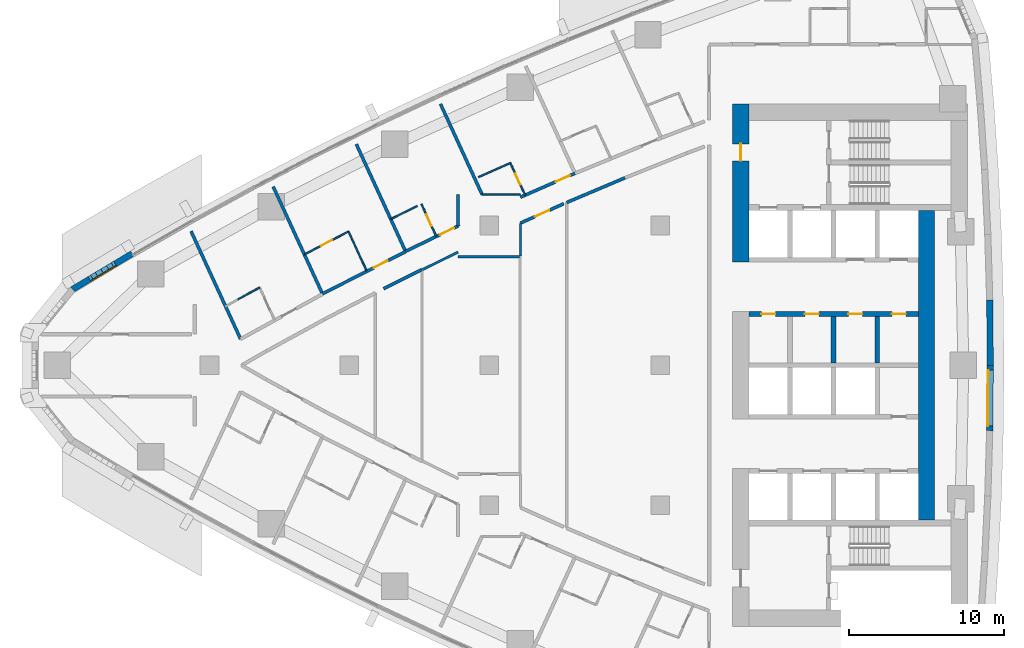
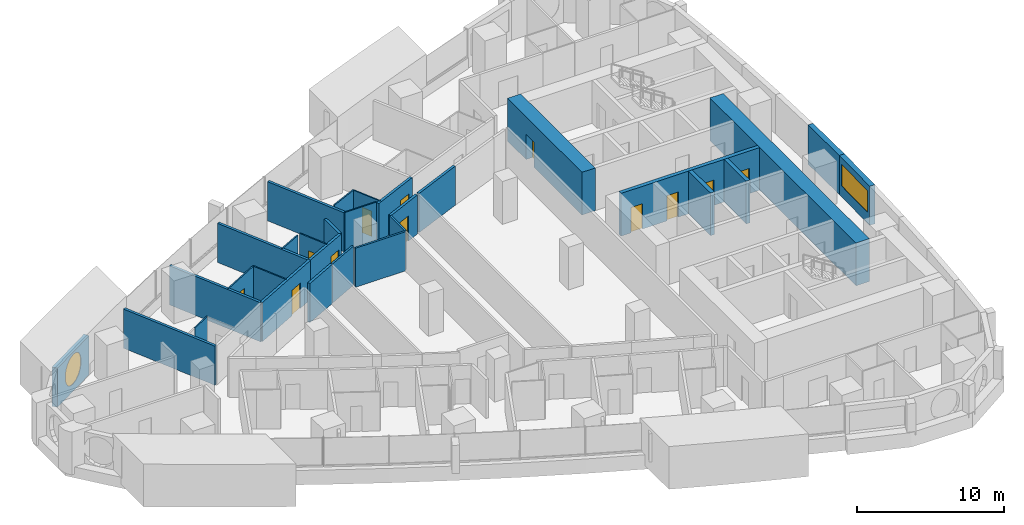
# One storey, part 11 of 17: 30 walls, 12 doors, 2 windows, 14 openings.
"""IFC4 building model written with IfcOpenShell, lengths in metres."""

from ifc_helpers import new_model, si_unit, direction, frame, frame_2d, origin, place, context, subcontext, project, spatial, polyline, rectangle, outline, extrude, material, layer, layer_set, type_object, element, fill, save


model = new_model("IFC4")

# Units and contexts
model_context = context("Model", 3, precision=1e-05, world=origin(), true_north=direction((0.0, 1.0)))
body_context = subcontext(model_context, "Body", "Model", "MODEL_VIEW")
ifc_project = project(units=[si_unit("LENGTHUNIT", "METRE"), si_unit("AREAUNIT", "SQUARE_METRE"), si_unit("VOLUMEUNIT", "CUBIC_METRE"), si_unit("PLANEANGLEUNIT", "RADIAN"), si_unit("MASSUNIT", "GRAM", prefix="KILO")], contexts=[model_context])

# Site, building, storey
site_placement = place(None, origin())
site = spatial("IfcSite", under=ifc_project, at=site_placement, CompositionType="ELEMENT")
building_placement = place(site_placement, origin())
building = spatial("IfcBuilding", under=site, at=building_placement, Name="Ostrand Prow Hotel Tower", CompositionType="ELEMENT")
storey_placement = place(building_placement, frame((0.0, 0.0, 109.75)))
storey = spatial("IfcBuildingStorey", under=building, at=storey_placement, Name="L26", CompositionType="ELEMENT", Elevation=109.75)

# Wall, opening, door
ifc_material_1 = material(Name="Concrete C80/95", Category="concrete")
ifc_layer_1 = layer(ifc_material_1, 1.050048828125)
ifc_layer_set_1 = layer_set([ifc_layer_1], Name="Concrete C80/95")
wall_type_1 = type_object("IfcWallType", Name="Core wall 1050 C80/95", PredefinedType="SHEAR", material=ifc_layer_set_1)
wall_1_placement = place(storey_placement, frame((50.175048828125, 6.64990234375, 0.0), z_axis=(0.0, 0.0, 1.0), x_axis=(0.0, 1.0, 0.0)))
wall_1 = element("IfcWall", 1, at=wall_1_placement, inside=storey, type_object=wall_type_1, Name="Core wall CW-W-N", PredefinedType="SHEAR", context=body_context, shape_type="SweptSolid", body=[
    extrude(rectangle(XDim=10.150146484375, YDim=1.050048828125, at=frame_2d((5.0751953125, 0.0))), origin(), (0.0, 0.0, 1.0), 3.550048828125),
])
opening_1_placement = place(wall_1_placement, frame((6.5, 0.0, 0.0)))
opening_1 = element("IfcOpeningElement", 2, at=opening_1_placement, cuts=wall_1, Name="Opening FD1", PredefinedType="OPENING", context=body_context, shape_type="SweptSolid", body=[
    extrude(rectangle(XDim=1.10009765625, YDim=2.10009765625, at=frame_2d((0.550048828125, 1.050048828125))), frame((0.0, 0.534912109375, 0.0), z_axis=(0.0, -1.0, 0.0), x_axis=(1.0, 0.0, 0.0)), (0.0, 0.0, 1.0), 1.070068359375),
])
ifc_material_2 = material(Name="Steel fire door", Category="steel")
door_type_1 = type_object("IfcDoorType", Name="Fire door 1100 EI120", OperationType="SINGLE_SWING_RIGHT", PredefinedType="DOOR", material=ifc_material_2)
door_1_placement = place(opening_1_placement, origin())
door_1 = element("IfcDoor", 3, at=door_1_placement, inside=storey, type_object=door_type_1, Name="FIRE DOOR", OperationType="SINGLE_SWING_RIGHT", OverallHeight=2.10009765625, OverallWidth=1.10009765625, PredefinedType="DOOR", context=body_context, shape_type="SweptSolid", body=[
    extrude(rectangle(XDim=1.10009765625, YDim=2.10009765625, at=frame_2d((0.550048828125, 1.050048828125))), frame((0.0, 0.02490234375, 0.0), z_axis=(0.0, -1.0, 0.0), x_axis=(1.0, 0.0, 0.0)), (0.0, 0.0, 1.0), 0.050048828125),
])
fill(opening_1, door_1)

# Wall
wall_2_placement = place(storey_placement, frame((62.125, -9.949951171875, 0.0), z_axis=(0.0, 0.0, 1.0), x_axis=(0.0, 1.0, 0.0)))
element("IfcWall", 4, at=wall_2_placement, inside=storey, type_object=wall_type_1, Name="Core wall CW-E-C", PredefinedType="SHEAR", context=body_context, shape_type="SweptSolid", body=[
    extrude(rectangle(XDim=19.89990234375, YDim=1.050048828125, at=frame_2d((9.949951171875, 0.0))), origin(), (0.0, 0.0, 1.0), 3.550048828125),
])

# Wall, openings, doors
ifc_material_3 = material(Name="Concrete C80/95", Category="concrete")
ifc_layer_2 = layer(ifc_material_3, 0.300048828125)
ifc_layer_set_2 = layer_set([ifc_layer_2], Name="Concrete C80/95")
wall_type_2 = type_object("IfcWallType", Name="Core wall 300 C80/95", PredefinedType="SHEAR", material=ifc_layer_set_2)
wall_3_placement = place(storey_placement, frame((50.699951171875, 3.300048828125, 0.0), z_axis=(0.0, 0.0, 1.0), x_axis=(1.0, 0.0, 0.0)))
wall_3 = element("IfcWall", 5, at=wall_3_placement, inside=storey, type_object=wall_type_2, Name="Core wall PW-L1-N", PredefinedType="SHEAR", context=body_context, shape_type="SweptSolid", body=[
    extrude(rectangle(XDim=10.900146484375, YDim=0.300048828125, at=frame_2d((5.4501953125, 0.0))), origin(), (0.0, 0.0, 1.0), 3.550048828125),
])
opening_2_placement = place(wall_3_placement, frame((0.800048828125, 0.0, 0.0)))
opening_2 = element("IfcOpeningElement", 6, at=opening_2_placement, cuts=wall_3, Name="Opening FD2", PredefinedType="OPENING", context=body_context, shape_type="SweptSolid", body=[
    extrude(rectangle(XDim=0.89990234375, YDim=2.10009765625, at=frame_2d((0.449951171875, 1.050048828125))), frame((0.0, 0.159912109375, 0.0), z_axis=(0.0, -1.0, 0.0), x_axis=(1.0, 0.0, 0.0)), (0.0, 0.0, 1.0), 0.320068359375),
])
opening_3_placement = place(wall_3_placement, frame((3.60009765625, 0.0, 0.0)))
opening_3 = element("IfcOpeningElement", 7, at=opening_3_placement, cuts=wall_3, Name="Opening FD2", PredefinedType="OPENING", context=body_context, shape_type="SweptSolid", body=[
    extrude(rectangle(XDim=0.89990234375, YDim=2.10009765625, at=frame_2d((0.449951171875, 1.050048828125))), frame((0.0, 0.159912109375, 0.0), z_axis=(0.0, -1.0, 0.0), x_axis=(1.0, 0.0, 0.0)), (0.0, 0.0, 1.0), 0.320068359375),
])
opening_4_placement = place(wall_3_placement, frame((6.39990234375, 0.0, 0.0)))
opening_4 = element("IfcOpeningElement", 8, at=opening_4_placement, cuts=wall_3, Name="Opening FD2", PredefinedType="OPENING", context=body_context, shape_type="SweptSolid", body=[
    extrude(rectangle(XDim=0.89990234375, YDim=2.10009765625, at=frame_2d((0.449951171875, 1.050048828125))), frame((0.0, 0.159912109375, 0.0), z_axis=(0.0, -1.0, 0.0), x_axis=(1.0, 0.0, 0.0)), (0.0, 0.0, 1.0), 0.320068359375),
])
opening_5_placement = place(wall_3_placement, frame((9.199951171875, 0.0, 0.0)))
opening_5 = element("IfcOpeningElement", 9, at=opening_5_placement, cuts=wall_3, Name="Opening FD2", PredefinedType="OPENING", context=body_context, shape_type="SweptSolid", body=[
    extrude(rectangle(XDim=0.89990234375, YDim=2.10009765625, at=frame_2d((0.449951171875, 1.050048828125))), frame((0.0, 0.159912109375, 0.0), z_axis=(0.0, -1.0, 0.0), x_axis=(1.0, 0.0, 0.0)), (0.0, 0.0, 1.0), 0.320068359375),
])
ifc_material_4 = material(Name="Steel fire door", Category="steel")
door_type_2 = type_object("IfcDoorType", Name="Fire door 900 EI120", OperationType="SINGLE_SWING_LEFT", PredefinedType="DOOR", material=ifc_material_4)
door_2_placement = place(opening_2_placement, origin())
door_2 = element("IfcDoor", 10, at=door_2_placement, inside=storey, type_object=door_type_2, Name="DOOR", OperationType="SINGLE_SWING_LEFT", OverallHeight=2.10009765625, OverallWidth=0.89990234375, PredefinedType="DOOR", context=body_context, shape_type="SweptSolid", body=[
    extrude(rectangle(XDim=0.89990234375, YDim=2.10009765625, at=frame_2d((0.449951171875, 1.050048828125))), frame((0.0, 0.02490234375, 0.0), z_axis=(0.0, -1.0, 0.0), x_axis=(1.0, 0.0, 0.0)), (0.0, 0.0, 1.0), 0.050048828125),
])
fill(opening_2, door_2)
door_3_placement = place(opening_3_placement, origin())
door_3 = element("IfcDoor", 11, at=door_3_placement, inside=storey, type_object=door_type_2, Name="DOOR", OperationType="SINGLE_SWING_LEFT", OverallHeight=2.10009765625, OverallWidth=0.89990234375, PredefinedType="DOOR", context=body_context, shape_type="SweptSolid", body=[
    extrude(rectangle(XDim=0.89990234375, YDim=2.10009765625, at=frame_2d((0.449951171875, 1.050048828125))), frame((0.0, 0.02490234375, 0.0), z_axis=(0.0, -1.0, 0.0), x_axis=(1.0, 0.0, 0.0)), (0.0, 0.0, 1.0), 0.050048828125),
])
fill(opening_3, door_3)
door_4_placement = place(opening_4_placement, origin())
door_4 = element("IfcDoor", 12, at=door_4_placement, inside=storey, type_object=door_type_2, Name="DOOR", OperationType="SINGLE_SWING_LEFT", OverallHeight=2.10009765625, OverallWidth=0.89990234375, PredefinedType="DOOR", context=body_context, shape_type="SweptSolid", body=[
    extrude(rectangle(XDim=0.89990234375, YDim=2.10009765625, at=frame_2d((0.449951171875, 1.050048828125))), frame((0.0, 0.02490234375, 0.0), z_axis=(0.0, -1.0, 0.0), x_axis=(1.0, 0.0, 0.0)), (0.0, 0.0, 1.0), 0.050048828125),
])
fill(opening_4, door_4)
door_5_placement = place(opening_5_placement, origin())
door_5 = element("IfcDoor", 13, at=door_5_placement, inside=storey, type_object=door_type_2, Name="DOOR", OperationType="SINGLE_SWING_LEFT", OverallHeight=2.10009765625, OverallWidth=0.89990234375, PredefinedType="DOOR", context=body_context, shape_type="SweptSolid", body=[
    extrude(rectangle(XDim=0.89990234375, YDim=2.10009765625, at=frame_2d((0.449951171875, 1.050048828125))), frame((0.0, 0.02490234375, 0.0), z_axis=(0.0, -1.0, 0.0), x_axis=(1.0, 0.0, 0.0)), (0.0, 0.0, 1.0), 0.050048828125),
])
fill(opening_5, door_5)

# Walls
for number, where, z_axis, x_axis, name in (
    (14, (56.14990234375, 0.14990234375, 0.0), (0.0, 0.0, 1.0), (0.0, 1.0, 0.0), "Core wall PW-R2-NB"),
    (15, (58.949951171875, 0.14990234375, 0.0), (0.0, 0.0, 1.0), (0.0, 1.0, 0.0), "Core wall PW-R3-NB"),
):
    element("IfcWall", number, at=place(storey_placement, frame(where, z_axis=z_axis, x_axis=x_axis)), inside=storey, type_object=wall_type_2, Name=name, PredefinedType="SHEAR", context=body_context, shape_type="SweptSolid", body=[
        extrude(rectangle(XDim=3.0, YDim=0.300048828125, at=frame_2d((1.5, 0.0))), origin(), (0.0, 0.0, 1.0), 3.550048828125),
    ])
ifc_material_5 = material(Name="Plasterboard partition")
ifc_layer_3 = layer(ifc_material_5, 0.10009765625)
ifc_layer_set_3 = layer_set([ifc_layer_3], Name="Plasterboard partition")
wall_type_3 = type_object("IfcWallType", Name="Partition 100 bathroom wall", PredefinedType="PARTITIONING", material=ifc_layer_set_3)
wall_4_placement = place(storey_placement, frame((17.80126953125, 4.228515625, 0.0), z_axis=(0.0, 0.0, 1.0), x_axis=(0.877424481957, 0.479714788663, 0.0)))
element("IfcWall", 16, at=wall_4_placement, inside=storey, type_object=wall_type_3, Name="BATHROOM WALL", PredefinedType="PARTITIONING", context=body_context, shape_type="SweptSolid", body=[
    extrude(rectangle(XDim=1.62548828125, YDim=0.10009765625, at=frame_2d((0.812744140625, 0.0))), origin(), (0.0, 0.0, 1.0), 3.25),
])

# Wall, opening, door
wall_5_placement = place(storey_placement, frame((22.10400390625, 7.131591796875, 0.0), z_axis=(0.0, 0.0, 1.0), x_axis=(0.886865947566, 0.46202682936, 0.0)))
wall_5 = element("IfcWall", 17, at=wall_5_placement, inside=storey, type_object=wall_type_3, Name="BATHROOM WALL", PredefinedType="PARTITIONING", context=body_context, shape_type="SweptSolid", body=[
    extrude(rectangle(XDim=3.203857421875, YDim=0.10009765625, at=frame_2d((1.60205078125, 0.0))), origin(), (0.0, 0.0, 1.0), 3.25),
])
opening_6_placement = place(wall_5_placement, frame((1.199951171875, 0.0, 0.0)))
opening_6 = element("IfcOpeningElement", 18, at=opening_6_placement, cuts=wall_5, Name="Opening D2", PredefinedType="OPENING", context=body_context, shape_type="SweptSolid", body=[
    extrude(rectangle(XDim=0.800048828125, YDim=2.10009765625, at=frame_2d((0.39990234375, 1.050048828125))), frame((0.0, 0.06005859375, 0.0), z_axis=(0.0, -1.0, 0.0), x_axis=(1.0, 0.0, 0.0)), (0.0, 0.0, 1.0), 0.1201171875),
])
ifc_material_6 = material(Name="Timber door leaf", Category="wood")
door_type_3 = type_object("IfcDoorType", Name="Bathroom door 800", OperationType="SINGLE_SWING_LEFT", PredefinedType="DOOR", material=ifc_material_6)
door_6_placement = place(opening_6_placement, origin())
door_6 = element("IfcDoor", 19, at=door_6_placement, inside=storey, type_object=door_type_3, Name="DOOR", OperationType="SINGLE_SWING_LEFT", OverallHeight=2.10009765625, OverallWidth=0.800048828125, PredefinedType="DOOR", context=body_context, shape_type="SweptSolid", body=[
    extrude(rectangle(XDim=0.800048828125, YDim=2.10009765625, at=frame_2d((0.39990234375, 1.050048828125))), frame((0.0, 0.02490234375, 0.0), z_axis=(0.0, -1.0, 0.0), x_axis=(1.0, 0.0, 0.0)), (0.0, 0.0, 1.0), 0.050048828125),
])
fill(opening_6, door_6)

# Walls
wall_6_placement = place(storey_placement, frame((24.9453125, 8.61181640625, 0.0), z_axis=(0.0, 0.0, 1.0), x_axis=(0.417431588167, -0.908708352113, 0.0)))
element("IfcWall", 20, at=wall_6_placement, inside=storey, type_object=wall_type_3, Name="BATHROOM WALL", PredefinedType="PARTITIONING", context=body_context, shape_type="SweptSolid", body=[
    extrude(rectangle(XDim=2.780517578125, YDim=0.10009765625, at=frame_2d((1.39013671875, 0.0))), origin(), (0.0, 0.0, 1.0), 3.25),
])
wall_7_placement = place(storey_placement, frame((27.6611328125, 9.407470703125, 0.0), z_axis=(0.0, 0.0, 1.0), x_axis=(0.895982200486, 0.444089964324, 0.0)))
element("IfcWall", 21, at=wall_7_placement, inside=storey, type_object=wall_type_3, Name="BATHROOM WALL", PredefinedType="PARTITIONING", context=body_context, shape_type="SweptSolid", body=[
    extrude(rectangle(XDim=1.90869140625, YDim=0.10009765625, at=frame_2d((0.954345703125, 0.0))), origin(), (0.0, 0.0, 1.0), 3.25),
])

# Wall, opening, door
wall_8_placement = place(storey_placement, frame((29.635498046875, 10.379638671875, 0.0), z_axis=(0.0, 0.0, 1.0), x_axis=(0.417466676952, -0.908692232626, 0.0)))
wall_8 = element("IfcWall", 22, at=wall_8_placement, inside=storey, type_object=wall_type_3, Name="BATHROOM WALL", PredefinedType="PARTITIONING", context=body_context, shape_type="SweptSolid", body=[
    extrude(rectangle(XDim=2.27734375, YDim=0.10009765625, at=frame_2d((1.138671875, 0.0))), origin(), (0.0, 0.0, 1.0), 3.25),
])
opening_7_placement = place(wall_8_placement, frame((0.75, 0.0, 0.0)))
opening_7 = element("IfcOpeningElement", 23, at=opening_7_placement, cuts=wall_8, Name="Opening D2", PredefinedType="OPENING", context=body_context, shape_type="SweptSolid", body=[
    extrude(rectangle(XDim=0.800048828125, YDim=2.10009765625, at=frame_2d((0.39990234375, 1.050048828125))), frame((0.0, 0.06005859375, 0.0), z_axis=(0.0, -1.0, 0.0), x_axis=(1.0, 0.0, 0.0)), (0.0, 0.0, 1.0), 0.1201171875),
])
door_7_placement = place(opening_7_placement, origin())
door_7 = element("IfcDoor", 24, at=door_7_placement, inside=storey, type_object=door_type_3, Name="DOOR", OperationType="SINGLE_SWING_LEFT", OverallHeight=2.10009765625, OverallWidth=0.800048828125, PredefinedType="DOOR", context=body_context, shape_type="SweptSolid", body=[
    extrude(rectangle(XDim=0.800048828125, YDim=2.10009765625, at=frame_2d((0.39990234375, 1.050048828125))), frame((0.0, 0.02490234375, 0.0), z_axis=(0.0, -1.0, 0.0), x_axis=(1.0, 0.0, 0.0)), (0.0, 0.0, 1.0), 0.050048828125),
])
fill(opening_7, door_7)

# Wall
wall_9_placement = place(storey_placement, frame((33.305908203125, 12.1083984375, 0.0), z_axis=(0.0, 0.0, 1.0), x_axis=(0.913060453705, 0.407824236504, 0.0)))
element("IfcWall", 25, at=wall_9_placement, inside=storey, type_object=wall_type_3, Name="BATHROOM WALL", PredefinedType="PARTITIONING", context=body_context, shape_type="SweptSolid", body=[
    extrude(rectangle(XDim=2.2431640625, YDim=0.10009765625, at=frame_2d((1.12158203125, 0.0))), origin(), (0.0, 0.0, 1.0), 3.25),
])

# Wall, opening, door
wall_10_placement = place(storey_placement, frame((35.35400390625, 13.023193359375, 0.0), z_axis=(0.0, 0.0, 1.0), x_axis=(0.41750734959, -0.908673545911, 0.0)))
wall_10 = element("IfcWall", 26, at=wall_10_placement, inside=storey, type_object=wall_type_3, Name="BATHROOM WALL", PredefinedType="PARTITIONING", context=body_context, shape_type="SweptSolid", body=[
    extrude(rectangle(XDim=2.277099609375, YDim=0.10009765625, at=frame_2d((1.138671875, 0.0))), origin(), (0.0, 0.0, 1.0), 3.25),
])
opening_8_placement = place(wall_10_placement, frame((0.75, 0.0, 0.0)))
opening_8 = element("IfcOpeningElement", 27, at=opening_8_placement, cuts=wall_10, Name="Opening D2", PredefinedType="OPENING", context=body_context, shape_type="SweptSolid", body=[
    extrude(rectangle(XDim=0.800048828125, YDim=2.10009765625, at=frame_2d((0.39990234375, 1.050048828125))), frame((0.0, 0.06005859375, 0.0), z_axis=(0.0, -1.0, 0.0), x_axis=(1.0, 0.0, 0.0)), (0.0, 0.0, 1.0), 0.1201171875),
])
door_8_placement = place(opening_8_placement, origin())
door_8 = element("IfcDoor", 28, at=door_8_placement, inside=storey, type_object=door_type_3, Name="DOOR", OperationType="SINGLE_SWING_LEFT", OverallHeight=2.10009765625, OverallWidth=0.800048828125, PredefinedType="DOOR", context=body_context, shape_type="SweptSolid", body=[
    extrude(rectangle(XDim=0.800048828125, YDim=2.10009765625, at=frame_2d((0.39990234375, 1.050048828125))), frame((0.0, 0.02490234375, 0.0), z_axis=(0.0, -1.0, 0.0), x_axis=(1.0, 0.0, 0.0)), (0.0, 0.0, 1.0), 0.050048828125),
])
fill(opening_8, door_8)

# Walls
wall_11_placement = place(storey_placement, frame((36.00048828125, 11.0048828125, 0.0), z_axis=(0.0, 0.0, 1.0), x_axis=(-1.0, 0.0, 0.0)))
element("IfcWall", 29, at=wall_11_placement, inside=storey, type_object=wall_type_3, Name="BATHROOM WALL", PredefinedType="PARTITIONING", context=body_context, shape_type="SweptSolid", body=[
    extrude(rectangle(XDim=2.470458984375, YDim=0.10009765625, at=frame_2d((1.2353515625, 0.0))), origin(), (0.0, 0.0, 1.0), 3.25),
])
ifc_material_7 = material(Name="Plasterboard partition")
ifc_layer_4 = layer(ifc_material_7, 0.14990234375)
ifc_layer_set_4 = layer_set([ifc_layer_4], Name="Plasterboard partition")
wall_type_4 = type_object("IfcWallType", Name="Partition 150 room partition", PredefinedType="PARTITIONING", material=ifc_layer_set_4)
wall_12_placement = place(storey_placement, frame((29.70654296875, 6.161865234375, 0.0), z_axis=(0.0, 0.0, 1.0), x_axis=(0.89773510237, 0.440535680702, 0.0)))
element("IfcWall", 30, at=wall_12_placement, inside=storey, type_object=wall_type_4, Name="ROOM PARTITION", PredefinedType="PARTITIONING", context=body_context, shape_type="SweptSolid", body=[
    extrude(rectangle(XDim=2.54931640625, YDim=0.14990234375, at=frame_2d((1.274658203125, 0.0))), origin(), (0.0, 0.0, 1.0), 3.25),
])
wall_13_placement = place(storey_placement, frame((31.99951171875, 6.9951171875, 0.0), z_axis=(0.0, 0.0, 1.0), x_axis=(1.0, 0.0, 0.0)))
element("IfcWall", 31, at=wall_13_placement, inside=storey, type_object=wall_type_4, Name="ROOM PARTITION", PredefinedType="PARTITIONING", context=body_context, shape_type="SweptSolid", body=[
    extrude(rectangle(XDim=3.935302734375, YDim=0.14990234375, at=frame_2d((1.9677734375, 0.0))), origin(), (0.0, 0.0, 1.0), 3.25),
])
wall_14_placement = place(storey_placement, frame((36.0048828125, 7.026123046875, 0.0), z_axis=(0.0, 0.0, 1.0), x_axis=(0.0, 1.0, 0.0)))
element("IfcWall", 32, at=wall_14_placement, inside=storey, type_object=wall_type_4, Name="ROOM PARTITION", PredefinedType="PARTITIONING", context=body_context, shape_type="SweptSolid", body=[
    extrude(rectangle(XDim=2.083984375, YDim=0.14990234375, at=frame_2d((1.0419921875, 0.0))), origin(), (0.0, 0.0, 1.0), 3.25),
])

# Wall, opening, door
ifc_material_8 = material(Name="Plasterboard partition")
ifc_layer_5 = layer(ifc_material_8, 0.199951171875)
ifc_layer_set_5 = layer_set([ifc_layer_5], Name="Plasterboard partition")
wall_type_5 = type_object("IfcWallType", Name="Partition 200 corridor wall", PredefinedType="PARTITIONING", material=ifc_layer_set_5)
wall_15_placement = place(storey_placement, frame((23.265625, 4.602294921875, 0.0), z_axis=(0.0, 0.0, 1.0), x_axis=(0.892007141151, 0.452021304958, 0.0)))
wall_15 = element("IfcWall", 33, at=wall_15_placement, inside=storey, type_object=wall_type_5, Name="CORRIDOR WALL", PredefinedType="PARTITIONING", context=body_context, shape_type="SweptSolid", body=[
    extrude(rectangle(XDim=6.00439453125, YDim=0.199951171875, at=frame_2d((3.002197265625, 0.0))), origin(), (0.0, 0.0, 1.0), 3.25),
])
opening_9_placement = place(wall_15_placement, frame((3.699951171875, 0.0, 0.0)))
opening_9 = element("IfcOpeningElement", 34, at=opening_9_placement, cuts=wall_15, Name="Opening D1R", PredefinedType="OPENING", context=body_context, shape_type="SweptSolid", body=[
    extrude(rectangle(XDim=1.0, YDim=2.10009765625, at=frame_2d((0.5, 1.050048828125))), frame((0.0, 0.10986328125, 0.0), z_axis=(0.0, -1.0, 0.0), x_axis=(1.0, 0.0, 0.0)), (0.0, 0.0, 1.0), 0.219970703125),
])
ifc_material_9 = material(Name="Timber door leaf", Category="wood")
door_type_4 = type_object("IfcDoorType", Name="Guest room door 1000 right", OperationType="SINGLE_SWING_RIGHT", PredefinedType="DOOR", material=ifc_material_9)
door_9_placement = place(opening_9_placement, origin())
door_9 = element("IfcDoor", 35, at=door_9_placement, inside=storey, type_object=door_type_4, Name="DOOR", OperationType="SINGLE_SWING_RIGHT", OverallHeight=2.10009765625, OverallWidth=1.0, PredefinedType="DOOR", context=body_context, shape_type="SweptSolid", body=[
    extrude(rectangle(XDim=1.0, YDim=2.10009765625, at=frame_2d((0.5, 1.050048828125))), frame((0.0, 0.02490234375, 0.0), z_axis=(0.0, -1.0, 0.0), x_axis=(1.0, 0.0, 0.0)), (0.0, 0.0, 1.0), 0.050048828125),
])
fill(opening_9, door_9)

wall_16_placement = place(storey_placement, frame((32.0, 8.972900390625, 0.0), z_axis=(0.0, 0.0, 1.0), x_axis=(-0.900216696569, -0.435442188147, 0.0)))
wall_16 = element("IfcWall", 36, at=wall_16_placement, inside=storey, type_object=wall_type_5, Name="CORRIDOR WALL", PredefinedType="PARTITIONING", context=body_context, shape_type="SweptSolid", body=[
    extrude(rectangle(XDim=3.76220703125, YDim=0.199951171875, at=frame_2d((1.881103515625, 0.0))), origin(), (0.0, 0.0, 1.0), 3.25),
])
opening_10_placement = place(wall_16_placement, frame((0.300048828125, 0.0, 0.0)))
opening_10 = element("IfcOpeningElement", 37, at=opening_10_placement, cuts=wall_16, Name="Opening D1R", PredefinedType="OPENING", context=body_context, shape_type="SweptSolid", body=[
    extrude(rectangle(XDim=1.0, YDim=2.10009765625, at=frame_2d((0.5, 1.050048828125))), frame((0.0, 0.10986328125, 0.0), z_axis=(0.0, -1.0, 0.0), x_axis=(1.0, 0.0, 0.0)), (0.0, 0.0, 1.0), 0.219970703125),
])
door_10_placement = place(opening_10_placement, origin())
door_10 = element("IfcDoor", 38, at=door_10_placement, inside=storey, type_object=door_type_4, Name="DOOR", OperationType="SINGLE_SWING_RIGHT", OverallHeight=2.10009765625, OverallWidth=1.0, PredefinedType="DOOR", context=body_context, shape_type="SweptSolid", body=[
    extrude(rectangle(XDim=1.0, YDim=2.10009765625, at=frame_2d((0.5, 1.050048828125))), frame((0.0, 0.02490234375, 0.0), z_axis=(0.0, -1.0, 0.0), x_axis=(1.0, 0.0, 0.0)), (0.0, 0.0, 1.0), 0.050048828125),
])
fill(opening_10, door_10)

wall_17_placement = place(storey_placement, frame((39.513916015625, 12.352783203125, 0.0), z_axis=(0.0, 0.0, 1.0), x_axis=(-0.916085742373, -0.400982434305, 0.0)))
wall_17 = element("IfcWall", 39, at=wall_17_placement, inside=storey, type_object=wall_type_5, Name="CORRIDOR WALL", PredefinedType="PARTITIONING", context=body_context, shape_type="SweptSolid", body=[
    extrude(rectangle(XDim=3.835693359375, YDim=0.199951171875, at=frame_2d((1.91796875, 0.0))), origin(), (0.0, 0.0, 1.0), 3.25),
])
opening_11_placement = place(wall_17_placement, frame((0.35009765625, 0.0, 0.0)))
opening_11 = element("IfcOpeningElement", 40, at=opening_11_placement, cuts=wall_17, Name="Opening D1R", PredefinedType="OPENING", context=body_context, shape_type="SweptSolid", body=[
    extrude(rectangle(XDim=1.0, YDim=2.10009765625, at=frame_2d((0.5, 1.050048828125))), frame((0.0, 0.10986328125, 0.0), z_axis=(0.0, -1.0, 0.0), x_axis=(1.0, 0.0, 0.0)), (0.0, 0.0, 1.0), 0.219970703125),
])
door_11_placement = place(opening_11_placement, origin())
door_11 = element("IfcDoor", 41, at=door_11_placement, inside=storey, type_object=door_type_4, Name="DOOR", OperationType="SINGLE_SWING_RIGHT", OverallHeight=2.10009765625, OverallWidth=1.0, PredefinedType="DOOR", context=body_context, shape_type="SweptSolid", body=[
    extrude(rectangle(XDim=1.0, YDim=2.10009765625, at=frame_2d((0.5, 1.050048828125))), frame((0.0, 0.02490234375, 0.0), z_axis=(0.0, -1.0, 0.0), x_axis=(1.0, 0.0, 0.0)), (0.0, 0.0, 1.0), 0.050048828125),
])
fill(opening_11, door_11)

# Wall
wall_18_placement = place(storey_placement, frame((27.1962890625, 4.935791015625, 0.0), z_axis=(0.0, 0.0, 1.0), x_axis=(0.895945057464, 0.444164895062, 0.0)))
element("IfcWall", 42, at=wall_18_placement, inside=storey, type_object=wall_type_5, Name="CORRIDOR WALL", PredefinedType="PARTITIONING", context=body_context, shape_type="SweptSolid", body=[
    extrude(rectangle(XDim=2.757080078125, YDim=0.199951171875, at=frame_2d((1.37841796875, 0.0))), origin(), (0.0, 0.0, 1.0), 3.25),
])

# Wall, opening, door
wall_19_placement = place(storey_placement, frame((36.0, 9.14990234375, 0.0), z_axis=(0.0, 0.0, 1.0), x_axis=(0.913029587861, 0.407893333716, 0.0)))
wall_19 = element("IfcWall", 43, at=wall_19_placement, inside=storey, type_object=wall_type_5, Name="CORRIDOR WALL", PredefinedType="PARTITIONING", context=body_context, shape_type="SweptSolid", body=[
    extrude(rectangle(XDim=3.057861328125, YDim=0.199951171875, at=frame_2d((1.52880859375, 0.0))), origin(), (0.0, 0.0, 1.0), 3.25),
])
opening_12_placement = place(wall_19_placement, frame((1.029052734375, 0.0, 0.0)))
opening_12 = element("IfcOpeningElement", 44, at=opening_12_placement, cuts=wall_19, Name="Opening D1", PredefinedType="OPENING", context=body_context, shape_type="SweptSolid", body=[
    extrude(rectangle(XDim=1.0, YDim=2.10009765625, at=frame_2d((0.5, 1.050048828125))), frame((0.0, 0.10986328125, 0.0), z_axis=(0.0, -1.0, 0.0), x_axis=(1.0, 0.0, 0.0)), (0.0, 0.0, 1.0), 0.219970703125),
])
ifc_material_10 = material(Name="Timber door leaf", Category="wood")
door_type_5 = type_object("IfcDoorType", Name="Guest room door 1000", OperationType="SINGLE_SWING_LEFT", PredefinedType="DOOR", material=ifc_material_10)
door_12_placement = place(opening_12_placement, origin())
door_12 = element("IfcDoor", 45, at=door_12_placement, inside=storey, type_object=door_type_5, Name="DOOR", OperationType="SINGLE_SWING_LEFT", OverallHeight=2.10009765625, OverallWidth=1.0, PredefinedType="DOOR", context=body_context, shape_type="SweptSolid", body=[
    extrude(rectangle(XDim=1.0, YDim=2.10009765625, at=frame_2d((0.5, 1.050048828125))), frame((0.0, 0.02490234375, 0.0), z_axis=(0.0, -1.0, 0.0), x_axis=(1.0, 0.0, 0.0)), (0.0, 0.0, 1.0), 0.050048828125),
])
fill(opening_12, door_12)

# Walls
wall_20_placement = place(storey_placement, frame((38.974609375, 10.474365234375, 0.0), z_axis=(0.0, 0.0, 1.0), x_axis=(0.921030909625, 0.389489490891, 0.0)))
element("IfcWall", 46, at=wall_20_placement, inside=storey, type_object=wall_type_5, Name="CORRIDOR WALL", PredefinedType="PARTITIONING", context=body_context, shape_type="SweptSolid", body=[
    extrude(rectangle(XDim=4.074951171875, YDim=0.199951171875, at=frame_2d((2.03759765625, 0.0))), origin(), (0.0, 0.0, 1.0), 3.25),
])
wall_21_placement = place(storey_placement, frame((31.99658203125, 11.00341796875, 0.0), z_axis=(0.0, 0.0, 1.0), x_axis=(0.001683296882, -0.999998583255, 0.0)))
element("IfcWall", 47, at=wall_21_placement, inside=storey, type_object=wall_type_5, Name="CORRIDOR WALL", PredefinedType="PARTITIONING", context=body_context, shape_type="SweptSolid", body=[
    extrude(rectangle(XDim=2.030517578125, YDim=0.199951171875, at=frame_2d((1.01513671875, 0.0))), origin(), (0.0, 0.0, 1.0), 3.25),
])
ifc_material_11 = material(Name="Plasterboard partition")
ifc_layer_6 = layer(ifc_material_11, 0.199951171875)
ifc_layer_set_6 = layer_set([ifc_layer_6], Name="Plasterboard partition")
wall_type_6 = type_object("IfcWallType", Name="Partition 200 key partition", PredefinedType="PARTITIONING", material=ifc_layer_set_6)
wall_22_placement = place(storey_placement, frame((14.814697265625, 8.625732421875, 0.0), z_axis=(0.0, 0.0, 1.0), x_axis=(0.417432341259, -0.908708006166, 0.0)))
element("IfcWall", 48, at=wall_22_placement, inside=storey, type_object=wall_type_6, Name="KEY PARTITION", PredefinedType="PARTITIONING", context=body_context, shape_type="SweptSolid", body=[
    extrude(rectangle(XDim=7.630615234375, YDim=0.199951171875, at=frame_2d((3.8154296875, 0.0))), origin(), (0.0, 0.0, 1.0), 3.25),
])
wall_23_placement = place(storey_placement, frame((23.274169921875, 4.583984375, 0.0), z_axis=(0.0, 0.0, 1.0), x_axis=(-0.417440028355, 0.908704474913, 0.0)))
element("IfcWall", 49, at=wall_23_placement, inside=storey, type_object=wall_type_6, Name="KEY PARTITION", PredefinedType="PARTITIONING", context=body_context, shape_type="SweptSolid", body=[
    extrude(rectangle(XDim=7.609619140625, YDim=0.199951171875, at=frame_2d((3.8046875, 0.0))), origin(), (0.0, 0.0, 1.0), 3.25),
])
wall_24_placement = place(storey_placement, frame((28.62158203125, 7.31640625, 0.0), z_axis=(0.0, 0.0, 1.0), x_axis=(-0.417428513692, 0.908709764422, 0.0)))
element("IfcWall", 50, at=wall_24_placement, inside=storey, type_object=wall_type_6, Name="KEY PARTITION", PredefinedType="PARTITIONING", context=body_context, shape_type="SweptSolid", body=[
    extrude(rectangle(XDim=7.603271484375, YDim=0.199951171875, at=frame_2d((3.8017578125, 0.0))), origin(), (0.0, 0.0, 1.0), 3.25),
])
wall_25_placement = place(storey_placement, frame((33.532470703125, 11.0, 0.0), z_axis=(0.0, 0.0, 1.0), x_axis=(-0.417441426461, 0.908703832651, 0.0)))
element("IfcWall", 51, at=wall_25_placement, inside=storey, type_object=wall_type_6, Name="KEY PARTITION", PredefinedType="PARTITIONING", context=body_context, shape_type="SweptSolid", body=[
    extrude(rectangle(XDim=6.3994140625, YDim=0.199951171875, at=frame_2d((3.19970703125, 0.0))), origin(), (0.0, 0.0, 1.0), 3.25),
])

# Wall, opening, window
ifc_material_12 = material(Name="Precast concrete C40/50", Category="concrete")
ifc_layer_7 = layer(ifc_material_12, 0.39990234375)
ifc_layer_set_7 = layer_set([ifc_layer_7], Name="Precast concrete C40/50")
wall_type_7 = type_object("IfcWallType", Name="Stone-faced precast wall 400 mm", PredefinedType="NOTDEFINED", material=ifc_layer_set_7)
wall_26_placement = place(storey_placement, frame((11.02587890625, 7.18603515625, 0.0), z_axis=(0.0, 0.0, 1.0), x_axis=(-0.857550776474, -0.514399325202, 0.0)))
wall_26 = element("IfcWall", 52, at=wall_26_placement, inside=storey, type_object=wall_type_7, Name="Stone-faced wall prow 1", PredefinedType="NOTDEFINED", context=body_context, shape_type="SweptSolid", body=[
    extrude(outline(polyline([(0.0, -0.199951171875), (4.50341796875, -0.199951171875), (4.4326171875, 0.199951171875), (0.0, 0.199951171875), (0.0, -0.199951171875)])), origin(), (0.0, 0.0, 1.0), 3.25),
])
opening_13_placement = place(wall_26_placement, frame((1.134033203125, 0.0, 0.60009765625)))
opening_13 = element("IfcOpeningElement", 53, at=opening_13_placement, cuts=wall_26, Name="Opening WP1", PredefinedType="OPENING", context=body_context, shape_type="SweptSolid", body=[
    extrude(outline(polyline([(0.0, 1.35009765625), (0.083740234375, 1.77099609375), (0.322265625, 2.127685546875), (0.678955078125, 2.3662109375), (1.10009765625, 2.449951171875), (1.52099609375, 2.3662109375), (1.877685546875, 2.127685546875), (2.1162109375, 1.77099609375), (2.199951171875, 1.35009765625), (2.199951171875, 1.10009765625), (2.1162109375, 0.678955078125), (1.877685546875, 0.322265625), (1.52099609375, 0.083740234375), (1.10009765625, 0.0), (0.678955078125, 0.083740234375), (0.322265625, 0.322265625), (0.083740234375, 0.678955078125), (0.0, 1.099853515625), (0.0, 1.35009765625)])), frame((0.0, 0.2099609375, 0.0), z_axis=(0.0, -1.0, 0.0), x_axis=(1.0, 0.0, 0.0)), (0.0, 0.0, 1.0), 0.419921875),
])
ifc_material_13 = material(Name="Insulated glass in bronze frame", Category="glass")
window_type_1 = type_object("IfcWindowType", Name="Round-ended prow window 2200x2450", PartitioningType="SINGLE_PANEL", PredefinedType="WINDOW", material=ifc_material_13)
window_1_placement = place(opening_13_placement, origin())
window_1 = element("IfcWindow", 54, at=window_1_placement, inside=storey, type_object=window_type_1, Name="Window prow 1.1", OverallHeight=2.449951171875, OverallWidth=2.199951171875, PartitioningType="SINGLE_PANEL", PredefinedType="WINDOW", context=body_context, shape_type="SweptSolid", body=[
    extrude(outline(polyline([(0.0, 1.35009765625), (0.083740234375, 1.77099609375), (0.322265625, 2.127685546875), (0.678955078125, 2.3662109375), (1.10009765625, 2.449951171875), (1.52099609375, 2.3662109375), (1.877685546875, 2.127685546875), (2.1162109375, 1.77099609375), (2.199951171875, 1.35009765625), (2.199951171875, 1.10009765625), (2.1162109375, 0.678955078125), (1.877685546875, 0.322265625), (1.52099609375, 0.083740234375), (1.10009765625, 0.0), (0.678955078125, 0.083740234375), (0.322265625, 0.322265625), (0.083740234375, 0.678955078125), (0.0, 1.099853515625), (0.0, 1.35009765625)])), frame((0.0, 0.169921875, 0.0), z_axis=(0.0, -1.0, 0.0), x_axis=(1.0, 0.0, 0.0)), (0.0, 0.0, 1.0), 0.06005859375),
])
fill(opening_13, window_1)

wall_27_placement = place(storey_placement, frame((66.193603515625, -4.20654296875, 0.0), z_axis=(0.0, 0.0, 1.0), x_axis=(0.00969194175, 0.99995303203, 0.0)))
wall_27 = element("IfcWall", 55, at=wall_27_placement, inside=storey, type_object=wall_type_7, Name="Stone-faced wall back 9", PredefinedType="NOTDEFINED", context=body_context, shape_type="SweptSolid", body=[
    extrude(outline(polyline([(-0.001953125, -0.199951171875), (4.208740234375, -0.199951171875), (4.204833984375, 0.199951171875), (0.001953125, 0.199951171875), (-0.001953125, -0.199951171875)])), origin(), (0.0, 0.0, 1.0), 3.25),
])
opening_14_placement = place(wall_27_placement, frame((0.303466796875, 0.0, 0.89990234375)))
opening_14 = element("IfcOpeningElement", 56, at=opening_14_placement, cuts=wall_27, Name="Opening WS3-36", PredefinedType="OPENING", context=body_context, shape_type="SweptSolid", body=[
    extrude(rectangle(XDim=3.60009765625, YDim=1.800048828125, at=frame_2d((1.800048828125, 0.89990234375))), frame((0.0, 0.2099609375, 0.0), z_axis=(0.0, -1.0, 0.0), x_axis=(1.0, 0.0, 0.0)), (0.0, 0.0, 1.0), 0.419921875),
])
ifc_material_14 = material(Name="Insulated glass in bronze frame", Category="glass")
window_type_2 = type_object("IfcWindowType", Name="Strip window 3600x1800", PartitioningType="SINGLE_PANEL", PredefinedType="WINDOW", material=ifc_material_14)
window_2_placement = place(opening_14_placement, origin())
window_2 = element("IfcWindow", 57, at=window_2_placement, inside=storey, type_object=window_type_2, Name="Window back 9.1", OverallHeight=1.800048828125, OverallWidth=3.60009765625, PartitioningType="SINGLE_PANEL", PredefinedType="WINDOW", context=body_context, shape_type="SweptSolid", body=[
    extrude(rectangle(XDim=3.60009765625, YDim=1.800048828125, at=frame_2d((1.800048828125, 0.89990234375))), frame((0.0, 0.169921875, 0.0), z_axis=(0.0, -1.0, 0.0), x_axis=(1.0, 0.0, 0.0)), (0.0, 0.0, 1.0), 0.06005859375),
])
fill(opening_14, window_2)

# Wall
wall_28_placement = place(storey_placement, frame((66.234375, 0.0, 0.0), z_axis=(0.0, 0.0, 1.0), x_axis=(-0.00969194175, 0.99995303203, 0.0)))
element("IfcWall", 58, at=wall_28_placement, inside=storey, type_object=wall_type_7, Name="Stone-faced wall back 10", PredefinedType="NOTDEFINED", context=body_context, shape_type="SweptSolid", body=[
    extrude(outline(polyline([(-0.001953125, -0.199951171875), (4.208740234375, -0.199951171875), (4.204833984375, 0.199951171875), (0.001953125, 0.199951171875), (-0.001953125, -0.199951171875)])), origin(), (0.0, 0.0, 1.0), 3.25),
])

save(model, "model.ifc")
